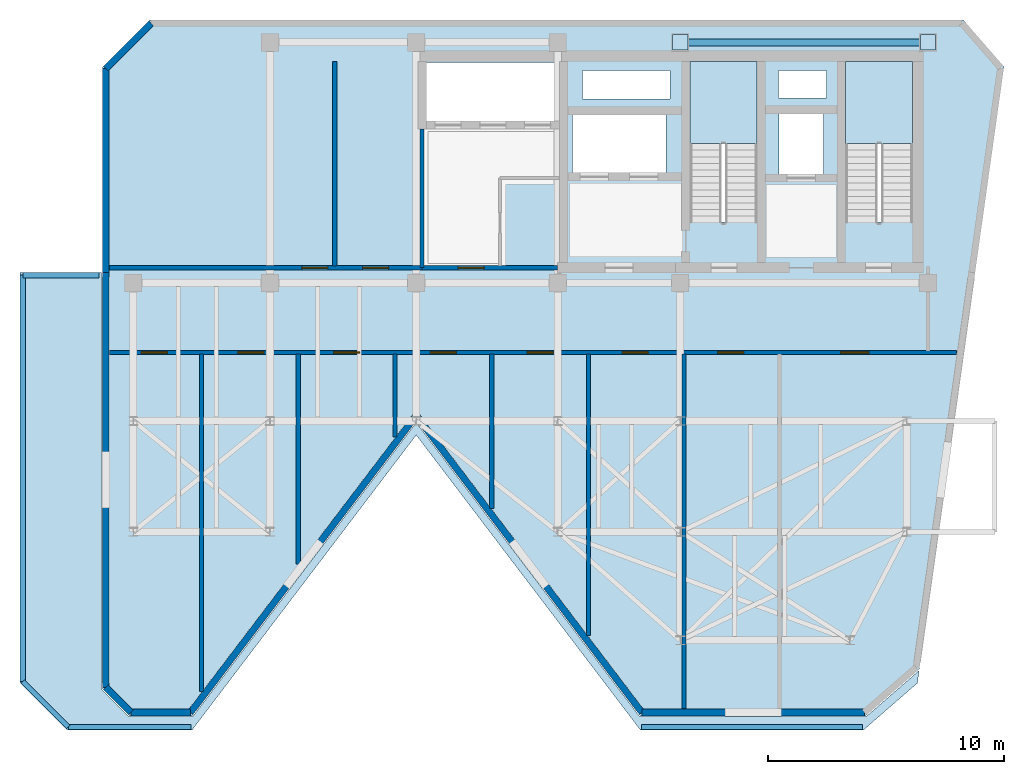
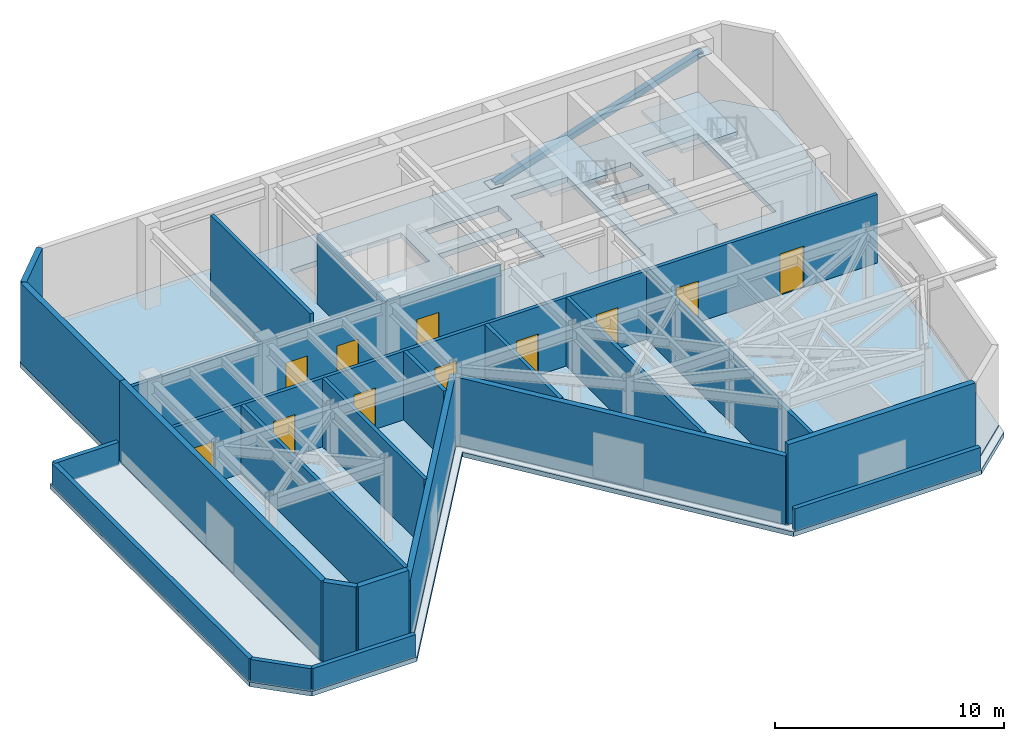
# One storey, part 2 of 6: 24 walls, 11 doors, 4 slabs, 2 plates, 1 member, 11 openings, 2 elements without a shape of their own.
"""IFC4 building model written with IfcOpenShell, lengths in metres."""

from ifc_helpers import new_model, si_unit, direction, frame, frame_2d, origin, origin_2d, place, context, subcontext, project, spatial, polyline, rectangle, hollow_rectangle, outline, extrude, material, layer, layer_set, material_profile, profile_set, type_object, element, fill, aggregate, save


model = new_model("IFC4")

# Units and contexts
model_context = context("Model", 3, precision=1e-05, world=origin(), true_north=direction((0.0, 1.0)))
body_context = subcontext(model_context, "Body", "Model", "MODEL_VIEW")
ifc_project = project(units=[si_unit("LENGTHUNIT", "METRE"), si_unit("AREAUNIT", "SQUARE_METRE"), si_unit("VOLUMEUNIT", "CUBIC_METRE"), si_unit("PLANEANGLEUNIT", "RADIAN"), si_unit("MASSUNIT", "GRAM", prefix="KILO")], contexts=[model_context])

# Site, building, storey
site_placement = place(None, origin())
site = spatial("IfcSite", under=ifc_project, at=site_placement, CompositionType="ELEMENT")
building_placement = place(site_placement, origin())
building = spatial("IfcBuilding", under=site, at=building_placement, Name="Kravanh Interchange Tower", CompositionType="ELEMENT")
storey_placement = place(building_placement, frame((0.0, 0.0, 277.800048828125)))
storey = spatial("IfcBuildingStorey", under=building, at=storey_placement, Name="L68", CompositionType="ELEMENT", Elevation=277.800048828125)

# Member
ifc_material_1 = material(Name="Structural Steel S355", Category="steel")
ifc_material_profile = material_profile(ifc_material_1, hollow_rectangle(XDim=0.300048828125, YDim=0.300048828125, WallThickness=0.011962890625, at=origin_2d()), Name="HSS300X300X12")
ifc_profile_set = profile_set([ifc_material_profile], Name="Structural Steel S355")
member_type = type_object("IfcMemberType", Name="Frame Brace HSS300X300X12 Structural Steel S355", PredefinedType="BRACE", material=ifc_profile_set)
member_placement = place(storey_placement, frame((56.0, 47.550048828125, 0.300048828125), z_axis=(0.952581923042, 0.0, 0.304282237229), x_axis=(0.0, 1.0, 0.0)))
element("IfcMember", 1, at=member_placement, inside=storey, type_object=member_type, Name="L68 Spine Frame Steel Brace 1", PredefinedType="BRACE", context=body_context, shape_type="SweptSolid", body=[
    extrude(hollow_rectangle(XDim=0.300048828125, YDim=0.300048828125, WallThickness=0.011962890625, at=origin_2d()), origin(), (0.0, 0.0, 1.0), 11.022705078125),
])

# Slab
ifc_material_2 = material(Name="Concrete C60/75", Category="concrete")
ifc_layer_1 = layer(ifc_material_2, 0.280029296875)
ifc_layer_set_1 = layer_set([ifc_layer_1], Name="Composite Floor Slab Concrete C60/75 280mm")
slab_type_1 = type_object("IfcSlabType", Name="Composite Floor Slab Concrete C60/75 280mm", PredefinedType="FLOOR", material=ifc_layer_set_1)
slab_1_placement = place(storey_placement, frame((0.0, 0.0, -0.280029296875)))
element("IfcSlab", 2, at=slab_1_placement, inside=storey, type_object=slab_type_1, Name="L68 Structural Floor Slab", PredefinedType="FLOOR", context=body_context, shape_type="SweptSolid", body=[
    extrude(outline(polyline([(31.5, 20.139892578125), (32.639892578125, 19.0), (35.300048828125, 19.0), (44.800048828125, 31.5), (54.300048828125, 19.0), (63.85400390625, 19.0), (66.13232421875, 20.98046875), (69.7216796875, 46.51953125), (68.0, 48.5), (33.5, 48.5), (31.5, 46.5), (31.5, 20.139892578125)]), holes=[polyline([(65.85009765625, 39.925048828125), (65.85009765625, 46.75), (63.0, 46.75), (63.0, 39.925048828125), (65.85009765625, 39.925048828125)]), polyline([(59.25, 39.925048828125), (59.25, 46.75), (56.39990234375, 46.75), (56.39990234375, 39.925048828125), (59.25, 39.925048828125)]), polyline([(45.239990234375, 44.219970703125), (50.840087890625, 44.219970703125), (50.840087890625, 46.699951171875), (45.239990234375, 46.699951171875), (45.239990234375, 44.219970703125)]), polyline([(51.419921875, 42.02001953125), (55.3798828125, 42.02001953125), (55.3798828125, 44.47998046875), (51.419921875, 44.47998046875), (51.419921875, 42.02001953125)]), polyline([(60.179931640625, 41.97998046875), (62.06005859375, 41.97998046875), (62.06005859375, 44.52001953125), (60.179931640625, 44.52001953125), (60.179931640625, 41.97998046875)]), polyline([(60.14990234375, 45.199951171875), (62.199951171875, 45.199951171875), (62.199951171875, 46.35009765625), (60.14990234375, 46.35009765625), (60.14990234375, 45.199951171875)]), polyline([(51.85009765625, 45.14990234375), (55.550048828125, 45.14990234375), (55.550048828125, 46.35009765625), (51.85009765625, 46.35009765625), (51.85009765625, 45.14990234375)])]), origin(), (0.0, 0.0, 1.0), 0.280029296875),
])

# Stair, slab
ifc_material_3 = material(Name="Concrete C50/60", Category="concrete")
stair_type = type_object("IfcStairType", Name="Core Fire Exit Dogleg Stair Concrete C50/60", PredefinedType="HALF_TURN_STAIR", material=ifc_material_3)
stair_1_placement = place(storey_placement, origin())
stair_1 = element("IfcStair", 3, at=stair_1_placement, inside=storey, type_object=stair_type, Name="L68 Exit Stair ST1", PredefinedType="HALF_TURN_STAIR")
ifc_material_4 = material(Name="Concrete C50/60", Category="concrete")
ifc_layer_2 = layer(ifc_material_4, 0.199951171875)
ifc_layer_set_2 = layer_set([ifc_layer_2], Name="Concrete C50/60 Stair Half-Landing Slab 200mm")
slab_type_2 = type_object("IfcSlabType", Name="Concrete C50/60 Stair Half-Landing Slab 200mm", PredefinedType="LANDING", material=ifc_layer_set_2)
slab_2_placement = place(storey_placement, frame((0.0, 0.0, 2.050048828125)))
slab_2 = element("IfcSlab", 4, at=slab_2_placement, type_object=slab_type_2, Name="ST1 landing 1", PredefinedType="LANDING", context=body_context, shape_type="SweptSolid", body=[
    extrude(outline(polyline([(65.85009765625, 43.260009765625), (65.85009765625, 46.75), (63.0, 46.75), (63.0, 43.260009765625), (65.85009765625, 43.260009765625)])), origin(), (0.0, 0.0, 1.0), 0.199951171875),
])
aggregate(stair_1, [slab_2])

stair_2_placement = place(storey_placement, origin())
stair_2 = element("IfcStair", 5, at=stair_2_placement, inside=storey, type_object=stair_type, Name="L68 Exit Stair ST2", PredefinedType="HALF_TURN_STAIR")
slab_3_placement = place(storey_placement, frame((0.0, 0.0, 2.050048828125)))
slab_3 = element("IfcSlab", 6, at=slab_3_placement, type_object=slab_type_2, Name="ST2 landing 1", PredefinedType="LANDING", context=body_context, shape_type="SweptSolid", body=[
    extrude(outline(polyline([(59.25, 43.260009765625), (59.25, 46.75), (56.39990234375, 46.75), (56.39990234375, 43.260009765625), (59.25, 43.260009765625)])), origin(), (0.0, 0.0, 1.0), 0.199951171875),
])
aggregate(stair_2, [slab_3])

# Plates
ifc_material_5 = material(Name="Structural Steel S450", Category="steel")
ifc_layer_3 = layer(ifc_material_5, 0.031982421875)
ifc_layer_set_3 = layer_set([ifc_layer_3], Name="Flange Continuity Node Plate 650x650x32 S450")
plate_type = type_object("IfcPlateType", Name="Flange Continuity Node Plate 650x650x32 S450", PredefinedType="SHEET", material=ifc_layer_set_3)
for number, where, z_axis, x_axis, name in (
    (7, (56.0, 47.550048828125, 0.2841796875), (0.0, 0.0, 1.0), (1.0, 0.0, 0.0), "L68 Spine Brace Lower Gusset Plate"),
    (8, (66.5, 47.550048828125, 3.63818359375), (0.0, 0.0, 1.0), (1.0, 0.0, 0.0), "L68 Spine Brace Upper Gusset Plate"),
):
    element("IfcPlate", number, at=place(storey_placement, frame(where, z_axis=z_axis, x_axis=x_axis)), inside=storey, type_object=plate_type, Name=name, PredefinedType="SHEET", context=body_context, shape_type="SweptSolid", body=[
        extrude(rectangle(XDim=0.64990234375, YDim=0.64990234375, at=origin_2d()), origin(), (0.0, 0.0, 1.0), 0.031982421875),
    ])

# Slab
ifc_material_6 = material(Name="Concrete C50/60", Category="concrete")
ifc_layer_4 = layer(ifc_material_6, 0.25)
ifc_layer_set_4 = layer_set([ifc_layer_4], Name="Insulated Terrace Roof Slab Concrete C50/60 250mm")
slab_type_3 = type_object("IfcSlabType", Name="Insulated Terrace Roof Slab Concrete C50/60 250mm", PredefinedType="ROOF", material=ifc_layer_set_4)
slab_4_placement = place(storey_placement, frame((0.0, 0.0, -0.25)))
element("IfcSlab", 9, at=slab_4_placement, inside=storey, type_object=slab_type_3, Name="L68 Maintenance Skylight Roof 1", PredefinedType="ROOF", context=body_context, shape_type="SweptSolid", body=[
    extrude(outline(polyline([(63.769775390625, 18.39990234375), (54.300048828125, 18.39990234375), (44.800048828125, 30.89990234375), (35.300048828125, 18.39990234375), (30.0, 18.39990234375), (28.0, 20.39990234375), (28.0, 37.800048828125), (31.4599609375, 37.800048828125), (31.4599609375, 20.123291015625), (32.623291015625, 18.9599609375), (35.31982421875, 18.9599609375), (44.800048828125, 31.433837890625), (54.2802734375, 18.9599609375), (63.868896484375, 18.9599609375), (66.123779296875, 20.920166015625), (66.048095703125, 20.380615234375), (63.769775390625, 18.39990234375)])), origin(), (0.0, 0.0, 1.0), 0.25),
])

# Walls
ifc_material_7 = material(Name="Insulated Precast Concrete C40/50 with Bronze Cladding", Category="concrete")
ifc_layer_5 = layer(ifc_material_7, 0.280029296875)
ifc_layer_set_5 = layer_set([ifc_layer_5], Name="Exterior Insulated Concrete C40/50 Bronze Spandrel Wall 280mm")
wall_type_1 = type_object("IfcWallType", Name="Exterior Insulated Concrete C40/50 Bronze Spandrel Wall 280mm", PredefinedType="STANDARD", material=ifc_layer_set_5)
wall_1_placement = place(storey_placement, frame((31.639892578125, 20.197998046875, 0.0), z_axis=(0.0, 0.0, 1.0), x_axis=(0.0, 1.0, 0.0)))
element("IfcWall", 10, at=wall_1_placement, inside=storey, type_object=wall_type_1, Name="L68 Exterior Enclosure Wall 1", PredefinedType="STANDARD", context=body_context, shape_type="SweptSolid", body=[
    extrude(rectangle(XDim=17.60205078125, YDim=0.280029296875, at=frame_2d((8.801025390625, 0.0))), origin(), (0.0, 0.0, 1.0), 4.264892578125),
])
wall_2_placement = place(storey_placement, frame((31.639892578125, 37.800048828125, 0.0), z_axis=(0.0, 0.0, 1.0), x_axis=(0.0, 1.0, 0.0)))
element("IfcWall", 11, at=wall_2_placement, inside=storey, type_object=wall_type_1, Name="L68 Exterior Enclosure Wall 2", PredefinedType="STANDARD", context=body_context, shape_type="SweptSolid", body=[
    extrude(rectangle(XDim=8.641845703125, YDim=0.280029296875, at=frame_2d((4.32080078125, 0.0))), origin(), (0.0, 0.0, 1.0), 4.264892578125),
])
wall_3_placement = place(storey_placement, frame((31.639892578125, 46.44189453125, 0.0), z_axis=(0.0, 0.0, 1.0), x_axis=(0.707106781187, 0.707106781187, 0.0)))
element("IfcWall", 12, at=wall_3_placement, inside=storey, type_object=wall_type_1, Name="L68 Exterior Enclosure Wall 3", PredefinedType="STANDARD", context=body_context, shape_type="SweptSolid", body=[
    extrude(rectangle(XDim=2.712646484375, YDim=0.280029296875, at=frame_2d((1.3564453125, 0.0))), origin(), (0.0, 0.0, 1.0), 4.264892578125),
])
wall_4_placement = place(storey_placement, frame((63.8017578125, 19.139892578125, 0.0), z_axis=(0.0, 0.0, 1.0), x_axis=(-1.0, 0.0, 0.0)))
element("IfcWall", 13, at=wall_4_placement, inside=storey, type_object=wall_type_1, Name="L68 Exterior Enclosure Wall 9", PredefinedType="STANDARD", context=body_context, shape_type="SweptSolid", body=[
    extrude(rectangle(XDim=9.432373046875, YDim=0.280029296875, at=frame_2d((4.71630859375, 0.0))), origin(), (0.0, 0.0, 1.0), 4.264892578125),
])
for number, where, z_axis, x_axis, name in (
    (14, (54.369384765625, 19.139892578125, 0.0), (0.0, 0.0, 1.0), (-0.605073482293, 0.796169630811, 0.0), "L68 Exterior Enclosure Wall 10"),
    (15, (44.800048828125, 31.7314453125, 0.0), (0.0, 0.0, 1.0), (-0.605073482293, -0.796169630811, 0.0), "L68 Exterior Enclosure Wall 11"),
):
    element("IfcWall", number, at=place(storey_placement, frame(where, z_axis=z_axis, x_axis=x_axis)), inside=storey, type_object=wall_type_1, Name=name, PredefinedType="STANDARD", context=body_context, shape_type="SweptSolid", body=[
        extrude(rectangle(XDim=15.815185546875, YDim=0.280029296875, at=frame_2d((7.90771484375, 0.0))), origin(), (0.0, 0.0, 1.0), 3.654052734375),
    ])
wall_5_placement = place(storey_placement, frame((35.230712890625, 19.139892578125, 0.0), z_axis=(0.0, 0.0, 1.0), x_axis=(-1.0, 0.0, 0.0)))
element("IfcWall", 16, at=wall_5_placement, inside=storey, type_object=wall_type_1, Name="L68 Exterior Enclosure Wall 12", PredefinedType="STANDARD", context=body_context, shape_type="SweptSolid", body=[
    extrude(rectangle(XDim=2.53271484375, YDim=0.280029296875, at=frame_2d((1.266357421875, 0.0))), origin(), (0.0, 0.0, 1.0), 4.264892578125),
])
wall_6_placement = place(storey_placement, frame((32.697998046875, 19.139892578125, 0.0), z_axis=(0.0, 0.0, 1.0), x_axis=(-0.707106781187, 0.707106781187, 0.0)))
element("IfcWall", 17, at=wall_6_placement, inside=storey, type_object=wall_type_1, Name="L68 Exterior Enclosure Wall 13", PredefinedType="STANDARD", context=body_context, shape_type="SweptSolid", body=[
    extrude(rectangle(XDim=1.496337890625, YDim=0.280029296875, at=frame_2d((0.748046875, 0.0))), origin(), (0.0, 0.0, 1.0), 4.264892578125),
])

# Wall, opening, door
ifc_material_8 = material(Name="Autoclaved Aerated Concrete C30/37 Blockwork", Category="masonry")
ifc_layer_6 = layer(ifc_material_8, 0.179931640625)
ifc_layer_set_6 = layer_set([ifc_layer_6], Name="Fire-Rated Lobby and Corridor Wall Concrete C30/37 180mm")
wall_type_2 = type_object("IfcWallType", Name="Fire-Rated Lobby and Corridor Wall Concrete C30/37 180mm", PredefinedType="STANDARD", material=ifc_layer_set_6)
wall_7_placement = place(storey_placement, frame((45.050048828125, 38.0, 0.0), z_axis=(0.0, 0.0, 1.0), x_axis=(1.0, 0.0, 0.0)))
wall_7 = element("IfcWall", 18, at=wall_7_placement, inside=storey, type_object=wall_type_2, Name="L68 High-Rise Lift Lobby Wall 1", PredefinedType="STANDARD", context=body_context, shape_type="SweptSolid", body=[
    extrude(rectangle(XDim=5.75, YDim=0.179931640625, at=frame_2d((2.875, 0.0))), origin(), (0.0, 0.0, 1.0), 3.654052734375),
])
opening_1_placement = place(wall_7_placement, frame((1.52490234375, 0.0, 0.0)))
opening_1 = element("IfcOpeningElement", 19, at=opening_1_placement, cuts=wall_7, Name="Opening D-SHAFT-110", PredefinedType="OPENING", context=body_context, shape_type="SweptSolid", body=[
    extrude(rectangle(XDim=1.10009765625, YDim=2.199951171875, at=frame_2d((0.550048828125, 1.10009765625))), frame((0.0, 0.10009765625, 0.0), z_axis=(0.0, -1.0, 0.0), x_axis=(1.0, 0.0, 0.0)), (0.0, 0.0, 1.0), 0.199951171875),
])
ifc_material_9 = material(Name="Fire-Rated Composite Timber Leaf", Category="wood")
door_type_1 = type_object("IfcDoorType", Name="Fire-Rated Core Support Door 1100x2200", OperationType="NOTDEFINED", PredefinedType="DOOR", material=ifc_material_9)
door_1_placement = place(opening_1_placement, origin())
door_1 = element("IfcDoor", 20, at=door_1_placement, inside=storey, type_object=door_type_1, Name="L68 High-Rise Lift Lobby Door", OperationType="SINGLE_SWING_LEFT", OverallHeight=2.199951171875, OverallWidth=1.10009765625, PredefinedType="DOOR", context=body_context, shape_type="SweptSolid", body=[
    extrude(rectangle(XDim=1.10009765625, YDim=2.199951171875, at=frame_2d((0.550048828125, 1.10009765625))), frame((0.0, 0.02490234375, 0.0), z_axis=(0.0, -1.0, 0.0), x_axis=(1.0, 0.0, 0.0)), (0.0, 0.0, 1.0), 0.050048828125),
])
fill(opening_1, door_1)

# Wall
wall_8_placement = place(storey_placement, frame((45.050048828125, 38.0, 0.0), z_axis=(0.0, 0.0, 1.0), x_axis=(0.0, 1.0, 0.0)))
element("IfcWall", 21, at=wall_8_placement, inside=storey, type_object=wall_type_2, Name="L68 Interior Partition 4", PredefinedType="STANDARD", context=body_context, shape_type="SweptSolid", body=[
    extrude(rectangle(XDim=5.875, YDim=0.179931640625, at=frame_2d((2.9375, 0.0))), origin(), (0.0, 0.0, 1.0), 3.654052734375),
])

# Wall, openings, doors
wall_9_placement = place(storey_placement, frame((31.804931640625, 38.0, 0.0), z_axis=(0.0, 0.0, 1.0), x_axis=(1.0, 0.0, 0.0)))
wall_9 = element("IfcWall", 22, at=wall_9_placement, inside=storey, type_object=wall_type_2, Name="L68 Interior Partition 5", PredefinedType="STANDARD", context=body_context, shape_type="SweptSolid", body=[
    extrude(rectangle(XDim=13.2451171875, YDim=0.179931640625, at=frame_2d((6.62255859375, 0.0))), origin(), (0.0, 0.0, 1.0), 3.654052734375),
])
opening_2_placement = place(wall_9_placement, frame((8.14501953125, 0.0, 0.0)))
opening_2 = element("IfcOpeningElement", 23, at=opening_2_placement, cuts=wall_9, Name="Opening D-STAIR-110", PredefinedType="OPENING", context=body_context, shape_type="SweptSolid", body=[
    extrude(rectangle(XDim=1.10009765625, YDim=2.199951171875, at=frame_2d((0.550048828125, 1.10009765625))), frame((0.0, 0.10009765625, 0.0), z_axis=(0.0, -1.0, 0.0), x_axis=(1.0, 0.0, 0.0)), (0.0, 0.0, 1.0), 0.199951171875),
])
opening_3_placement = place(wall_9_placement, frame((10.719970703125, 0.0, 0.0)))
opening_3 = element("IfcOpeningElement", 24, at=opening_3_placement, cuts=wall_9, Name="Opening D-STAIR-110", PredefinedType="OPENING", context=body_context, shape_type="SweptSolid", body=[
    extrude(rectangle(XDim=1.10009765625, YDim=2.199951171875, at=frame_2d((0.550048828125, 1.10009765625))), frame((0.0, 0.10009765625, 0.0), z_axis=(0.0, -1.0, 0.0), x_axis=(1.0, 0.0, 0.0)), (0.0, 0.0, 1.0), 0.199951171875),
])
ifc_material_10 = material(Name="Structural Steel S355", Category="steel")
door_type_2 = type_object("IfcDoorType", Name="Fire-Rated Exit Stair Door 1100x2200", OperationType="NOTDEFINED", PredefinedType="DOOR", material=ifc_material_10)
door_2_placement = place(opening_2_placement, origin())
door_2 = element("IfcDoor", 25, at=door_2_placement, inside=storey, type_object=door_type_2, Name="L68 Core Smoke Control Mechanical Door", OperationType="SINGLE_SWING_LEFT", OverallHeight=2.199951171875, OverallWidth=1.10009765625, PredefinedType="DOOR", context=body_context, shape_type="SweptSolid", body=[
    extrude(rectangle(XDim=1.10009765625, YDim=2.199951171875, at=frame_2d((0.550048828125, 1.10009765625))), frame((0.0, 0.02490234375, 0.0), z_axis=(0.0, -1.0, 0.0), x_axis=(1.0, 0.0, 0.0)), (0.0, 0.0, 1.0), 0.050048828125),
])
fill(opening_2, door_2)
door_3_placement = place(opening_3_placement, origin())
door_3 = element("IfcDoor", 26, at=door_3_placement, inside=storey, type_object=door_type_2, Name="L68 Core Electrical Switchroom Door", OperationType="SINGLE_SWING_RIGHT", OverallHeight=2.199951171875, OverallWidth=1.10009765625, PredefinedType="DOOR", context=body_context, shape_type="SweptSolid", body=[
    extrude(rectangle(XDim=1.10009765625, YDim=2.199951171875, at=frame_2d((0.550048828125, 1.10009765625))), frame((0.0, 0.02490234375, 0.0), z_axis=(0.0, -1.0, 0.0), x_axis=(1.0, 0.0, 0.0)), (0.0, 0.0, 1.0), 0.050048828125),
])
fill(opening_3, door_3)

# Wall
wall_10_placement = place(storey_placement, frame((41.35009765625, 38.068115234375, 0.0), z_axis=(0.0, 0.0, 1.0), x_axis=(0.0, 1.0, 0.0)))
element("IfcWall", 27, at=wall_10_placement, inside=storey, type_object=wall_type_2, Name="L68 Interior Partition 7", PredefinedType="STANDARD", context=body_context, shape_type="SweptSolid", body=[
    extrude(rectangle(XDim=8.681884765625, YDim=0.179931640625, at=frame_2d((4.3408203125, 0.0))), origin(), (0.0, 0.0, 1.0), 4.264892578125),
])

# Wall, openings, doors
wall_11_placement = place(storey_placement, frame((31.804931640625, 34.39990234375, 0.0), z_axis=(0.0, 0.0, 1.0), x_axis=(1.0, 0.0, 0.0)))
wall_11 = element("IfcWall", 28, at=wall_11_placement, inside=storey, type_object=wall_type_2, Name="L68 Interior Partition 8", PredefinedType="STANDARD", context=body_context, shape_type="SweptSolid", body=[
    extrude(rectangle(XDim=35.905517578125, YDim=0.179931640625, at=frame_2d((17.95263671875, 0.0))), origin(), (0.0, 0.0, 1.0), 3.654052734375),
])
opening_4_placement = place(wall_11_placement, frame((30.985595703125, 0.0, 0.0)))
opening_4 = element("IfcOpeningElement", 29, at=opening_4_placement, cuts=wall_11, Name="Opening D-FSAE-120", PredefinedType="OPENING", context=body_context, shape_type="SweptSolid", body=[
    extrude(rectangle(XDim=1.199951171875, YDim=2.199951171875, at=frame_2d((0.60009765625, 1.10009765625))), frame((0.0, 0.10009765625, 0.0), z_axis=(0.0, -1.0, 0.0), x_axis=(1.0, 0.0, 0.0)), (0.0, 0.0, 1.0), 0.199951171875),
])
opening_5_placement = place(wall_11_placement, frame((1.340087890625, 0.0, 0.0)))
opening_5 = element("IfcOpeningElement", 30, at=opening_5_placement, cuts=wall_11, Name="Opening D-STAIR-110", PredefinedType="OPENING", context=body_context, shape_type="SweptSolid", body=[
    extrude(rectangle(XDim=1.10009765625, YDim=2.199951171875, at=frame_2d((0.550048828125, 1.10009765625))), frame((0.0, 0.10009765625, 0.0), z_axis=(0.0, -1.0, 0.0), x_axis=(1.0, 0.0, 0.0)), (0.0, 0.0, 1.0), 0.199951171875),
])
opening_6_placement = place(wall_11_placement, frame((5.436279296875, 0.0, 0.0)))
opening_6 = element("IfcOpeningElement", 31, at=opening_6_placement, cuts=wall_11, Name="Opening D-STAIR-110", PredefinedType="OPENING", context=body_context, shape_type="SweptSolid", body=[
    extrude(rectangle(XDim=1.10009765625, YDim=2.199951171875, at=frame_2d((0.550048828125, 1.10009765625))), frame((0.0, 0.10009765625, 0.0), z_axis=(0.0, -1.0, 0.0), x_axis=(1.0, 0.0, 0.0)), (0.0, 0.0, 1.0), 0.199951171875),
])
opening_7_placement = place(wall_11_placement, frame((9.4951171875, 0.0, 0.0)))
opening_7 = element("IfcOpeningElement", 32, at=opening_7_placement, cuts=wall_11, Name="Opening D-STAIR-110", PredefinedType="OPENING", context=body_context, shape_type="SweptSolid", body=[
    extrude(rectangle(XDim=1.10009765625, YDim=2.199951171875, at=frame_2d((0.550048828125, 1.10009765625))), frame((0.0, 0.10009765625, 0.0), z_axis=(0.0, -1.0, 0.0), x_axis=(1.0, 0.0, 0.0)), (0.0, 0.0, 1.0), 0.199951171875),
])
opening_8_placement = place(wall_11_placement, frame((13.594970703125, 0.0, 0.0)))
opening_8 = element("IfcOpeningElement", 33, at=opening_8_placement, cuts=wall_11, Name="Opening D-STAIR-110", PredefinedType="OPENING", context=body_context, shape_type="SweptSolid", body=[
    extrude(rectangle(XDim=1.10009765625, YDim=2.199951171875, at=frame_2d((0.550048828125, 1.10009765625))), frame((0.0, 0.10009765625, 0.0), z_axis=(0.0, -1.0, 0.0), x_axis=(1.0, 0.0, 0.0)), (0.0, 0.0, 1.0), 0.199951171875),
])
opening_9_placement = place(wall_11_placement, frame((17.695068359375, 0.0, 0.0)))
opening_9 = element("IfcOpeningElement", 34, at=opening_9_placement, cuts=wall_11, Name="Opening D-STAIR-110", PredefinedType="OPENING", context=body_context, shape_type="SweptSolid", body=[
    extrude(rectangle(XDim=1.10009765625, YDim=2.199951171875, at=frame_2d((0.550048828125, 1.10009765625))), frame((0.0, 0.10009765625, 0.0), z_axis=(0.0, -1.0, 0.0), x_axis=(1.0, 0.0, 0.0)), (0.0, 0.0, 1.0), 0.199951171875),
])
opening_10_placement = place(wall_11_placement, frame((21.7294921875, 0.0, 0.0)))
opening_10 = element("IfcOpeningElement", 35, at=opening_10_placement, cuts=wall_11, Name="Opening D-STAIR-110", PredefinedType="OPENING", context=body_context, shape_type="SweptSolid", body=[
    extrude(rectangle(XDim=1.10009765625, YDim=2.199951171875, at=frame_2d((0.550048828125, 1.10009765625))), frame((0.0, 0.10009765625, 0.0), z_axis=(0.0, -1.0, 0.0), x_axis=(1.0, 0.0, 0.0)), (0.0, 0.0, 1.0), 0.199951171875),
])
opening_11_placement = place(wall_11_placement, frame((25.779541015625, 0.0, 0.0)))
opening_11 = element("IfcOpeningElement", 36, at=opening_11_placement, cuts=wall_11, Name="Opening D-STAIR-110", PredefinedType="OPENING", context=body_context, shape_type="SweptSolid", body=[
    extrude(rectangle(XDim=1.10009765625, YDim=2.199951171875, at=frame_2d((0.550048828125, 1.10009765625))), frame((0.0, 0.10009765625, 0.0), z_axis=(0.0, -1.0, 0.0), x_axis=(1.0, 0.0, 0.0)), (0.0, 0.0, 1.0), 0.199951171875),
])
door_4_placement = place(opening_5_placement, origin())
door_4 = element("IfcDoor", 37, at=door_4_placement, inside=storey, type_object=door_type_2, Name="L68 Chiller Heat Exchanger Plant Room Door", OperationType="SINGLE_SWING_RIGHT", OverallHeight=2.199951171875, OverallWidth=1.10009765625, PredefinedType="DOOR", context=body_context, shape_type="SweptSolid", body=[
    extrude(rectangle(XDim=1.10009765625, YDim=2.199951171875, at=frame_2d((0.550048828125, 1.10009765625))), frame((0.0, 0.02490234375, 0.0), z_axis=(0.0, -1.0, 0.0), x_axis=(1.0, 0.0, 0.0)), (0.0, 0.0, 1.0), 0.050048828125),
])
fill(opening_5, door_4)
door_5_placement = place(opening_6_placement, origin())
door_5 = element("IfcDoor", 38, at=door_5_placement, inside=storey, type_object=door_type_2, Name="L68 Primary AHU Plant Room Door", OperationType="SINGLE_SWING_LEFT", OverallHeight=2.199951171875, OverallWidth=1.10009765625, PredefinedType="DOOR", context=body_context, shape_type="SweptSolid", body=[
    extrude(rectangle(XDim=1.10009765625, YDim=2.199951171875, at=frame_2d((0.550048828125, 1.10009765625))), frame((0.0, 0.02490234375, 0.0), z_axis=(0.0, -1.0, 0.0), x_axis=(1.0, 0.0, 0.0)), (0.0, 0.0, 1.0), 0.050048828125),
])
fill(opening_6, door_5)
door_6_placement = place(opening_7_placement, origin())
door_6 = element("IfcDoor", 39, at=door_6_placement, inside=storey, type_object=door_type_2, Name="L68 Secondary AHU Plant Room Door", OperationType="SINGLE_SWING_RIGHT", OverallHeight=2.199951171875, OverallWidth=1.10009765625, PredefinedType="DOOR", context=body_context, shape_type="SweptSolid", body=[
    extrude(rectangle(XDim=1.10009765625, YDim=2.199951171875, at=frame_2d((0.550048828125, 1.10009765625))), frame((0.0, 0.02490234375, 0.0), z_axis=(0.0, -1.0, 0.0), x_axis=(1.0, 0.0, 0.0)), (0.0, 0.0, 1.0), 0.050048828125),
])
fill(opening_7, door_6)
door_7_placement = place(opening_8_placement, origin())
door_7 = element("IfcDoor", 40, at=door_7_placement, inside=storey, type_object=door_type_2, Name="L68 Smoke Control Mechanical Plant Room Door", OperationType="SINGLE_SWING_LEFT", OverallHeight=2.199951171875, OverallWidth=1.10009765625, PredefinedType="DOOR", context=body_context, shape_type="SweptSolid", body=[
    extrude(rectangle(XDim=1.10009765625, YDim=2.199951171875, at=frame_2d((0.550048828125, 1.10009765625))), frame((0.0, 0.02490234375, 0.0), z_axis=(0.0, -1.0, 0.0), x_axis=(1.0, 0.0, 0.0)), (0.0, 0.0, 1.0), 0.050048828125),
])
fill(opening_8, door_7)
door_8_placement = place(opening_9_placement, origin())
door_8 = element("IfcDoor", 41, at=door_8_placement, inside=storey, type_object=door_type_2, Name="L68 HV Electrical Switchroom Door", OperationType="SINGLE_SWING_RIGHT", OverallHeight=2.199951171875, OverallWidth=1.10009765625, PredefinedType="DOOR", context=body_context, shape_type="SweptSolid", body=[
    extrude(rectangle(XDim=1.10009765625, YDim=2.199951171875, at=frame_2d((0.550048828125, 1.10009765625))), frame((0.0, 0.02490234375, 0.0), z_axis=(0.0, -1.0, 0.0), x_axis=(1.0, 0.0, 0.0)), (0.0, 0.0, 1.0), 0.050048828125),
])
fill(opening_9, door_8)
door_9_placement = place(opening_10_placement, origin())
door_9 = element("IfcDoor", 42, at=door_9_placement, inside=storey, type_object=door_type_2, Name="L68 Transformer Plant Room Door", OperationType="SINGLE_SWING_LEFT", OverallHeight=2.199951171875, OverallWidth=1.10009765625, PredefinedType="DOOR", context=body_context, shape_type="SweptSolid", body=[
    extrude(rectangle(XDim=1.10009765625, YDim=2.199951171875, at=frame_2d((0.550048828125, 1.10009765625))), frame((0.0, 0.02490234375, 0.0), z_axis=(0.0, -1.0, 0.0), x_axis=(1.0, 0.0, 0.0)), (0.0, 0.0, 1.0), 0.050048828125),
])
fill(opening_10, door_9)
door_10_placement = place(opening_11_placement, origin())
door_10 = element("IfcDoor", 43, at=door_10_placement, inside=storey, type_object=door_type_2, Name="L68 Emergency Generator Switchroom Door", OperationType="SINGLE_SWING_RIGHT", OverallHeight=2.199951171875, OverallWidth=1.10009765625, PredefinedType="DOOR", context=body_context, shape_type="SweptSolid", body=[
    extrude(rectangle(XDim=1.10009765625, YDim=2.199951171875, at=frame_2d((0.550048828125, 1.10009765625))), frame((0.0, 0.02490234375, 0.0), z_axis=(0.0, -1.0, 0.0), x_axis=(1.0, 0.0, 0.0)), (0.0, 0.0, 1.0), 0.050048828125),
])
fill(opening_11, door_10)
ifc_material_11 = material(Name="Structural Steel S355", Category="steel")
door_type_3 = type_object("IfcDoorType", Name="Fire-Rated Refuge and FSAE Door 1200x2200", OperationType="NOTDEFINED", PredefinedType="DOOR", material=ifc_material_11)
door_11_placement = place(opening_4_placement, origin())
door_11 = element("IfcDoor", 44, at=door_11_placement, inside=storey, type_object=door_type_3, Name="L68 Refuge Holding Area Exit Door", OperationType="SINGLE_SWING_LEFT", OverallHeight=2.199951171875, OverallWidth=1.199951171875, PredefinedType="DOOR", context=body_context, shape_type="SweptSolid", body=[
    extrude(rectangle(XDim=1.199951171875, YDim=2.199951171875, at=frame_2d((0.60009765625, 1.10009765625))), frame((0.0, 0.02490234375, 0.0), z_axis=(0.0, -1.0, 0.0), x_axis=(1.0, 0.0, 0.0)), (0.0, 0.0, 1.0), 0.050048828125),
])
fill(opening_4, door_11)

# Walls
wall_12_placement = place(storey_placement, frame((35.699951171875, 20.0302734375, 0.0), z_axis=(0.0, 0.0, 1.0), x_axis=(0.0, 1.0, 0.0)))
element("IfcWall", 45, at=wall_12_placement, inside=storey, type_object=wall_type_2, Name="L68 Interior Partition 11", PredefinedType="STANDARD", context=body_context, shape_type="SweptSolid", body=[
    extrude(rectangle(XDim=14.3017578125, YDim=0.179931640625, at=frame_2d((7.15087890625, 0.0))), origin(), (0.0, 0.0, 1.0), 3.654052734375),
])
wall_13_placement = place(storey_placement, frame((39.800048828125, 25.425048828125, 0.0), z_axis=(0.0, 0.0, 1.0), x_axis=(0.0, 1.0, 0.0)))
element("IfcWall", 46, at=wall_13_placement, inside=storey, type_object=wall_type_2, Name="L68 Interior Partition 12", PredefinedType="STANDARD", context=body_context, shape_type="SweptSolid", body=[
    extrude(rectangle(XDim=8.906982421875, YDim=0.179931640625, at=frame_2d((4.45361328125, 0.0))), origin(), (0.0, 0.0, 1.0), 3.654052734375),
])
wall_14_placement = place(storey_placement, frame((43.89990234375, 30.81982421875, 0.0), z_axis=(0.0, 0.0, 1.0), x_axis=(0.0, 1.0, 0.0)))
element("IfcWall", 47, at=wall_14_placement, inside=storey, type_object=wall_type_2, Name="L68 Interior Partition 13", PredefinedType="STANDARD", context=body_context, shape_type="SweptSolid", body=[
    extrude(rectangle(XDim=3.51220703125, YDim=0.179931640625, at=frame_2d((1.756103515625, 0.0))), origin(), (0.0, 0.0, 1.0), 3.654052734375),
])
wall_15_placement = place(storey_placement, frame((48.0, 27.79345703125, 0.0), z_axis=(0.0, 0.0, 1.0), x_axis=(0.0, 1.0, 0.0)))
element("IfcWall", 48, at=wall_15_placement, inside=storey, type_object=wall_type_2, Name="L68 Interior Partition 14", PredefinedType="STANDARD", context=body_context, shape_type="SweptSolid", body=[
    extrude(rectangle(XDim=6.53857421875, YDim=0.179931640625, at=frame_2d((3.269287109375, 0.0))), origin(), (0.0, 0.0, 1.0), 3.654052734375),
])
wall_16_placement = place(storey_placement, frame((52.10009765625, 22.398681640625, 0.0), z_axis=(0.0, 0.0, 1.0), x_axis=(0.0, 1.0, 0.0)))
element("IfcWall", 49, at=wall_16_placement, inside=storey, type_object=wall_type_2, Name="L68 Interior Partition 15", PredefinedType="STANDARD", context=body_context, shape_type="SweptSolid", body=[
    extrude(rectangle(XDim=11.933349609375, YDim=0.179931640625, at=frame_2d((5.966796875, 0.0))), origin(), (0.0, 0.0, 1.0), 3.654052734375),
])
wall_17_placement = place(storey_placement, frame((56.14990234375, 19.304931640625, 0.0), z_axis=(0.0, 0.0, 1.0), x_axis=(0.0, 1.0, 0.0)))
element("IfcWall", 50, at=wall_17_placement, inside=storey, type_object=wall_type_2, Name="L68 Interior Partition 16", PredefinedType="STANDARD", context=body_context, shape_type="SweptSolid", body=[
    extrude(rectangle(XDim=15.027099609375, YDim=0.179931640625, at=frame_2d((7.513671875, 0.0))), origin(), (0.0, 0.0, 1.0), 3.654052734375),
])
ifc_material_12 = material(Name="Concrete C40/50", Category="concrete")
ifc_layer_7 = layer(ifc_material_12, 0.219970703125)
ifc_layer_set_7 = layer_set([ifc_layer_7], Name="Roof Parapet Upstand Wall Concrete C40/50 220mm")
wall_type_3 = type_object("IfcWallType", Name="Roof Parapet Upstand Wall Concrete C40/50 220mm", PredefinedType="PARAPET", material=ifc_layer_set_7)
wall_18_placement = place(storey_placement, frame((63.724853515625, 18.52001953125, 0.0), z_axis=(0.0, 0.0, 1.0), x_axis=(-1.0, 0.0, 0.0)))
element("IfcWall", 51, at=wall_18_placement, inside=storey, type_object=wall_type_3, Name="L68 Stepped Roof Parapet 1-1", PredefinedType="PARAPET", context=body_context, shape_type="SweptSolid", body=[
    extrude(rectangle(XDim=9.365234375, YDim=0.219970703125, at=frame_2d((4.6826171875, 0.0))), origin(), (0.0, 0.0, 1.0), 1.199951171875),
])
wall_19_placement = place(storey_placement, frame((35.240478515625, 18.52001953125, 0.0), z_axis=(0.0, 0.0, 1.0), x_axis=(-1.0, 0.0, 0.0)))
element("IfcWall", 52, at=wall_19_placement, inside=storey, type_object=wall_type_3, Name="L68 Stepped Roof Parapet 1-4", PredefinedType="PARAPET", context=body_context, shape_type="SweptSolid", body=[
    extrude(rectangle(XDim=5.190673828125, YDim=0.219970703125, at=frame_2d((2.59521484375, 0.0))), origin(), (0.0, 0.0, 1.0), 1.199951171875),
])
wall_20_placement = place(storey_placement, frame((30.0498046875, 18.52001953125, 0.0), z_axis=(0.0, 0.0, 1.0), x_axis=(-0.707106781187, 0.707106781187, 0.0)))
element("IfcWall", 53, at=wall_20_placement, inside=storey, type_object=wall_type_3, Name="L68 Stepped Roof Parapet 1-5", PredefinedType="PARAPET", context=body_context, shape_type="SweptSolid", body=[
    extrude(rectangle(XDim=2.72900390625, YDim=0.219970703125, at=frame_2d((1.364501953125, 0.0))), origin(), (0.0, 0.0, 1.0), 1.199951171875),
])
wall_21_placement = place(storey_placement, frame((28.1201171875, 20.44970703125, 0.0), z_axis=(0.0, 0.0, 1.0), x_axis=(0.0, 1.0, 0.0)))
element("IfcWall", 54, at=wall_21_placement, inside=storey, type_object=wall_type_3, Name="L68 Stepped Roof Parapet 1-6", PredefinedType="PARAPET", context=body_context, shape_type="SweptSolid", body=[
    extrude(rectangle(XDim=17.230224609375, YDim=0.219970703125, at=frame_2d((8.615234375, 0.0))), origin(), (0.0, 0.0, 1.0), 1.199951171875),
])
wall_22_placement = place(storey_placement, frame((28.1201171875, 37.679931640625, 0.0), z_axis=(0.0, 0.0, 1.0), x_axis=(1.0, 0.0, 0.0)))
element("IfcWall", 55, at=wall_22_placement, inside=storey, type_object=wall_type_3, Name="L68 Stepped Roof Parapet 1-7", PredefinedType="PARAPET", context=body_context, shape_type="SweptSolid", body=[
    extrude(rectangle(XDim=3.219970703125, YDim=0.219970703125, at=frame_2d((1.60986328125, 0.0))), origin(), (0.0, 0.0, 1.0), 1.199951171875),
])

save(model, "model.ifc")
